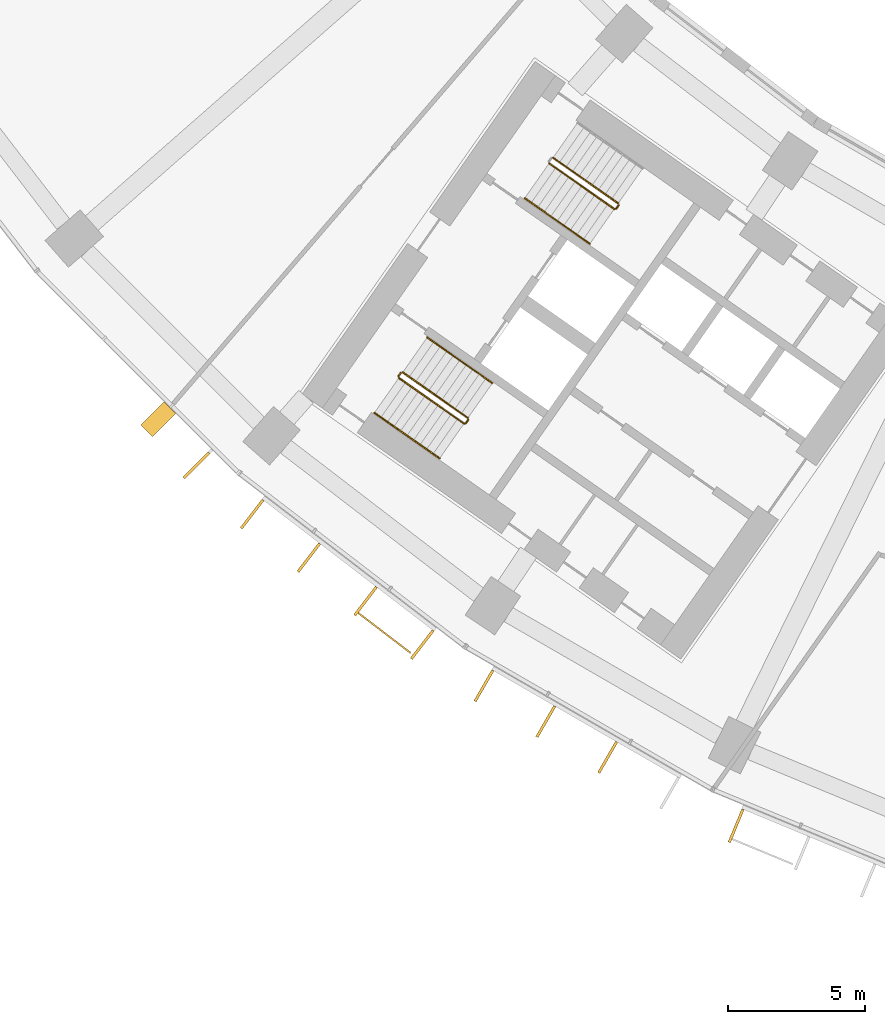
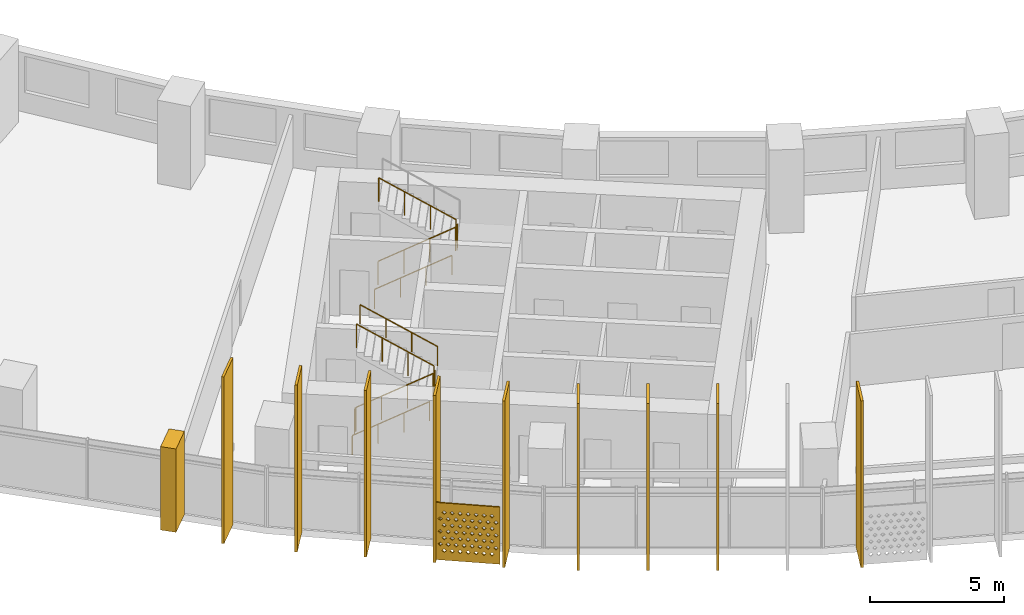
# One storey, part 26 of 32: 11 shading devices, 8 railings.
"""IFC4 building model written with IfcOpenShell, lengths in metres."""

from ifc_helpers import new_model, si_unit, direction, frame, origin, origin_2d, place, context, subcontext, project, spatial, polyline, rectangle, circle, outline, extrude, material, material_profile, profile_set, type_object, element, save


model = new_model("IFC4")

# Units and contexts
model_context = context("Model", 3, precision=1e-05, world=origin(), true_north=direction((0.0, 1.0)))
body_context = subcontext(model_context, "Body", "Model", "MODEL_VIEW")
ifc_project = project(units=[si_unit("LENGTHUNIT", "METRE"), si_unit("AREAUNIT", "SQUARE_METRE"), si_unit("VOLUMEUNIT", "CUBIC_METRE"), si_unit("PLANEANGLEUNIT", "RADIAN"), si_unit("MASSUNIT", "GRAM", prefix="KILO")], contexts=[model_context])

# Site, building, storey
site_placement = place(None, origin())
site = spatial("IfcSite", under=ifc_project, at=site_placement, CompositionType="ELEMENT")
building_placement = place(site_placement, origin())
building = spatial("IfcBuilding", under=site, at=building_placement, Name="Qamariyya Broadcast Tower", CompositionType="ELEMENT")
storey_placement = place(building_placement, frame((0.0, 0.0, 70.89990234375)))
storey = spatial("IfcBuildingStorey", under=building, at=storey_placement, Name="L14", CompositionType="ELEMENT", Elevation=70.89990234375)

# Shading devices
ifc_material_1 = material(Name="Steel S355 powder coated deep red", Category="steel")
shading_device_type_1 = type_object("IfcShadingDeviceType", Name="Deep red frame, powder coated steel box section", PredefinedType="USERDEFINED", material=ifc_material_1)
shading_device_1_placement = place(storey_placement, origin())
element("IfcShadingDevice", 1, at=shading_device_1_placement, inside=storey, type_object=shading_device_type_1, Name="e-frm-B1-F1-postb-L14", ObjectType="FRAME", PredefinedType="USERDEFINED", context=body_context, shape_type="SweptSolid", body=[
    extrude(outline(polyline([(-55.184814453125, -57.21630859375), (-56.033203125, -58.064697265625), (-55.60888671875, -58.489013671875), (-54.760498046875, -57.640380859375), (-55.184814453125, -57.21630859375)])), origin(), (0.0, 0.0, 1.0), 3.800048828125),
])
ifc_material_2 = material(Name="Perforated glazed terracotta", Category="masonry")
ifc_material_profile_1 = material_profile(ifc_material_2, outline(polyline([(-1.199951171875, -1.300048828125), (1.199951171875, -1.300048828125), (1.199951171875, 1.300048828125), (-1.199951171875, 1.300048828125), (-1.199951171875, -1.300048828125)]), holes=[polyline([(-0.81494140625, -0.86669921875), (-0.89990234375, -0.78173828125), (-0.985107421875, -0.86669921875), (-0.89990234375, -0.95166015625), (-0.81494140625, -0.86669921875)]), polyline([(-0.514892578125, -0.86669921875), (-0.60009765625, -0.78173828125), (-0.68505859375, -0.86669921875), (-0.60009765625, -0.95166015625), (-0.514892578125, -0.86669921875)]), polyline([(-0.215087890625, -0.86669921875), (-0.300048828125, -0.78173828125), (-0.385009765625, -0.86669921875), (-0.300048828125, -0.95166015625), (-0.215087890625, -0.86669921875)]), polyline([(0.0849609375, -0.86669921875), (0.0, -0.78173828125), (-0.0849609375, -0.86669921875), (0.0, -0.95166015625), (0.0849609375, -0.86669921875)]), polyline([(0.385009765625, -0.86669921875), (0.300048828125, -0.78173828125), (0.215087890625, -0.86669921875), (0.300048828125, -0.95166015625), (0.385009765625, -0.86669921875)]), polyline([(0.68505859375, -0.86669921875), (0.60009765625, -0.78173828125), (0.514892578125, -0.86669921875), (0.60009765625, -0.95166015625), (0.68505859375, -0.86669921875)]), polyline([(0.985107421875, -0.86669921875), (0.89990234375, -0.78173828125), (0.81494140625, -0.86669921875), (0.89990234375, -0.95166015625), (0.985107421875, -0.86669921875)]), polyline([(-0.965087890625, -0.577880859375), (-1.050048828125, -0.49267578125), (-1.135009765625, -0.577880859375), (-1.050048828125, -0.662841796875), (-0.965087890625, -0.577880859375)]), polyline([(-0.6650390625, -0.577880859375), (-0.75, -0.49267578125), (-0.8349609375, -0.577880859375), (-0.75, -0.662841796875), (-0.6650390625, -0.577880859375)]), polyline([(-0.364990234375, -0.577880859375), (-0.449951171875, -0.49267578125), (-0.534912109375, -0.577880859375), (-0.449951171875, -0.662841796875), (-0.364990234375, -0.577880859375)]), polyline([(-0.06494140625, -0.577880859375), (-0.14990234375, -0.49267578125), (-0.235107421875, -0.577880859375), (-0.14990234375, -0.662841796875), (-0.06494140625, -0.577880859375)]), polyline([(0.235107421875, -0.577880859375), (0.14990234375, -0.49267578125), (0.06494140625, -0.577880859375), (0.14990234375, -0.662841796875), (0.235107421875, -0.577880859375)]), polyline([(0.534912109375, -0.577880859375), (0.449951171875, -0.49267578125), (0.364990234375, -0.577880859375), (0.449951171875, -0.662841796875), (0.534912109375, -0.577880859375)]), polyline([(0.8349609375, -0.577880859375), (0.75, -0.49267578125), (0.6650390625, -0.577880859375), (0.75, -0.662841796875), (0.8349609375, -0.577880859375)]), polyline([(1.135009765625, -0.577880859375), (1.050048828125, -0.49267578125), (0.965087890625, -0.577880859375), (1.050048828125, -0.662841796875), (1.135009765625, -0.577880859375)]), polyline([(-0.81494140625, -0.288818359375), (-0.89990234375, -0.203857421875), (-0.985107421875, -0.288818359375), (-0.89990234375, -0.373779296875), (-0.81494140625, -0.288818359375)]), polyline([(-0.514892578125, -0.288818359375), (-0.60009765625, -0.203857421875), (-0.68505859375, -0.288818359375), (-0.60009765625, -0.373779296875), (-0.514892578125, -0.288818359375)]), polyline([(-0.215087890625, -0.288818359375), (-0.300048828125, -0.203857421875), (-0.385009765625, -0.288818359375), (-0.300048828125, -0.373779296875), (-0.215087890625, -0.288818359375)]), polyline([(0.0849609375, -0.288818359375), (0.0, -0.203857421875), (-0.0849609375, -0.288818359375), (0.0, -0.373779296875), (0.0849609375, -0.288818359375)]), polyline([(0.385009765625, -0.288818359375), (0.300048828125, -0.203857421875), (0.215087890625, -0.288818359375), (0.300048828125, -0.373779296875), (0.385009765625, -0.288818359375)]), polyline([(0.68505859375, -0.288818359375), (0.60009765625, -0.203857421875), (0.514892578125, -0.288818359375), (0.60009765625, -0.373779296875), (0.68505859375, -0.288818359375)]), polyline([(0.985107421875, -0.288818359375), (0.89990234375, -0.203857421875), (0.81494140625, -0.288818359375), (0.89990234375, -0.373779296875), (0.985107421875, -0.288818359375)]), polyline([(-0.965087890625, 0.0), (-1.050048828125, 0.0849609375), (-1.135009765625, 0.0), (-1.050048828125, -0.0849609375), (-0.965087890625, 0.0)]), polyline([(-0.6650390625, 0.0), (-0.75, 0.0849609375), (-0.8349609375, 0.0), (-0.75, -0.0849609375), (-0.6650390625, 0.0)]), polyline([(-0.364990234375, 0.0), (-0.449951171875, 0.0849609375), (-0.534912109375, 0.0), (-0.449951171875, -0.0849609375), (-0.364990234375, 0.0)]), polyline([(-0.06494140625, 0.0), (-0.14990234375, 0.0849609375), (-0.235107421875, 0.0), (-0.14990234375, -0.0849609375), (-0.06494140625, 0.0)]), polyline([(0.235107421875, 0.0), (0.14990234375, 0.0849609375), (0.06494140625, 0.0), (0.14990234375, -0.0849609375), (0.235107421875, 0.0)]), polyline([(0.534912109375, 0.0), (0.449951171875, 0.0849609375), (0.364990234375, 0.0), (0.449951171875, -0.0849609375), (0.534912109375, 0.0)]), polyline([(0.8349609375, 0.0), (0.75, 0.0849609375), (0.6650390625, 0.0), (0.75, -0.0849609375), (0.8349609375, 0.0)]), polyline([(1.135009765625, 0.0), (1.050048828125, 0.0849609375), (0.965087890625, 0.0), (1.050048828125, -0.0849609375), (1.135009765625, 0.0)]), polyline([(-0.81494140625, 0.288818359375), (-0.89990234375, 0.373779296875), (-0.985107421875, 0.288818359375), (-0.89990234375, 0.203857421875), (-0.81494140625, 0.288818359375)]), polyline([(-0.514892578125, 0.288818359375), (-0.60009765625, 0.373779296875), (-0.68505859375, 0.288818359375), (-0.60009765625, 0.203857421875), (-0.514892578125, 0.288818359375)]), polyline([(-0.215087890625, 0.288818359375), (-0.300048828125, 0.373779296875), (-0.385009765625, 0.288818359375), (-0.300048828125, 0.203857421875), (-0.215087890625, 0.288818359375)]), polyline([(0.0849609375, 0.288818359375), (0.0, 0.373779296875), (-0.0849609375, 0.288818359375), (0.0, 0.203857421875), (0.0849609375, 0.288818359375)]), polyline([(0.385009765625, 0.288818359375), (0.300048828125, 0.373779296875), (0.215087890625, 0.288818359375), (0.300048828125, 0.203857421875), (0.385009765625, 0.288818359375)]), polyline([(0.68505859375, 0.288818359375), (0.60009765625, 0.373779296875), (0.514892578125, 0.288818359375), (0.60009765625, 0.203857421875), (0.68505859375, 0.288818359375)]), polyline([(0.985107421875, 0.288818359375), (0.89990234375, 0.373779296875), (0.81494140625, 0.288818359375), (0.89990234375, 0.203857421875), (0.985107421875, 0.288818359375)]), polyline([(-0.965087890625, 0.577880859375), (-1.050048828125, 0.662841796875), (-1.135009765625, 0.577880859375), (-1.050048828125, 0.49267578125), (-0.965087890625, 0.577880859375)]), polyline([(-0.6650390625, 0.577880859375), (-0.75, 0.662841796875), (-0.8349609375, 0.577880859375), (-0.75, 0.49267578125), (-0.6650390625, 0.577880859375)]), polyline([(-0.364990234375, 0.577880859375), (-0.449951171875, 0.662841796875), (-0.534912109375, 0.577880859375), (-0.449951171875, 0.49267578125), (-0.364990234375, 0.577880859375)]), polyline([(-0.06494140625, 0.577880859375), (-0.14990234375, 0.662841796875), (-0.235107421875, 0.577880859375), (-0.14990234375, 0.49267578125), (-0.06494140625, 0.577880859375)]), polyline([(0.235107421875, 0.577880859375), (0.14990234375, 0.662841796875), (0.06494140625, 0.577880859375), (0.14990234375, 0.49267578125), (0.235107421875, 0.577880859375)]), polyline([(0.534912109375, 0.577880859375), (0.449951171875, 0.662841796875), (0.364990234375, 0.577880859375), (0.449951171875, 0.49267578125), (0.534912109375, 0.577880859375)]), polyline([(0.8349609375, 0.577880859375), (0.75, 0.662841796875), (0.6650390625, 0.577880859375), (0.75, 0.49267578125), (0.8349609375, 0.577880859375)]), polyline([(1.135009765625, 0.577880859375), (1.050048828125, 0.662841796875), (0.965087890625, 0.577880859375), (1.050048828125, 0.49267578125), (1.135009765625, 0.577880859375)]), polyline([(-0.81494140625, 0.86669921875), (-0.89990234375, 0.95166015625), (-0.985107421875, 0.86669921875), (-0.89990234375, 0.78173828125), (-0.81494140625, 0.86669921875)]), polyline([(-0.514892578125, 0.86669921875), (-0.60009765625, 0.95166015625), (-0.68505859375, 0.86669921875), (-0.60009765625, 0.78173828125), (-0.514892578125, 0.86669921875)]), polyline([(-0.215087890625, 0.86669921875), (-0.300048828125, 0.95166015625), (-0.385009765625, 0.86669921875), (-0.300048828125, 0.78173828125), (-0.215087890625, 0.86669921875)]), polyline([(0.0849609375, 0.86669921875), (0.0, 0.95166015625), (-0.0849609375, 0.86669921875), (0.0, 0.78173828125), (0.0849609375, 0.86669921875)]), polyline([(0.385009765625, 0.86669921875), (0.300048828125, 0.95166015625), (0.215087890625, 0.86669921875), (0.300048828125, 0.78173828125), (0.385009765625, 0.86669921875)]), polyline([(0.68505859375, 0.86669921875), (0.60009765625, 0.95166015625), (0.514892578125, 0.86669921875), (0.60009765625, 0.78173828125), (0.68505859375, 0.86669921875)]), polyline([(0.985107421875, 0.86669921875), (0.89990234375, 0.95166015625), (0.81494140625, 0.86669921875), (0.89990234375, 0.78173828125), (0.985107421875, 0.86669921875)])]))
ifc_profile_set_1 = profile_set([ifc_material_profile_1], Name="Perforated glazed terracotta")
shading_device_type_2 = type_object("IfcShadingDeviceType", Name="Perforated terracotta screen 2400 x 2600", PredefinedType="USERDEFINED", material=ifc_profile_set_1)
shading_device_2_placement = place(storey_placement, frame((-47.13232421875, -65.61669921875, 1.35009765625), z_axis=(-0.607147566278, -0.794589096806, 0.0), x_axis=(0.794589096806, -0.607147566278, 0.0)))
element("IfcShadingDevice", 2, at=shading_device_2_placement, inside=storey, type_object=shading_device_type_2, Name="e-scr-L14-03-2", ObjectType="SCREEN", PredefinedType="USERDEFINED", context=body_context, shape_type="SweptSolid", body=[
    extrude(outline(polyline([(-1.199951171875, -1.300048828125), (1.199951171875, -1.300048828125), (1.199951171875, 1.300048828125), (-1.199951171875, 1.300048828125), (-1.199951171875, -1.300048828125)]), holes=[polyline([(-0.81494140625, -0.86669921875), (-0.89990234375, -0.78173828125), (-0.985107421875, -0.86669921875), (-0.89990234375, -0.95166015625), (-0.81494140625, -0.86669921875)]), polyline([(-0.514892578125, -0.86669921875), (-0.60009765625, -0.78173828125), (-0.68505859375, -0.86669921875), (-0.60009765625, -0.95166015625), (-0.514892578125, -0.86669921875)]), polyline([(-0.215087890625, -0.86669921875), (-0.300048828125, -0.78173828125), (-0.385009765625, -0.86669921875), (-0.300048828125, -0.95166015625), (-0.215087890625, -0.86669921875)]), polyline([(0.0849609375, -0.86669921875), (0.0, -0.78173828125), (-0.0849609375, -0.86669921875), (0.0, -0.95166015625), (0.0849609375, -0.86669921875)]), polyline([(0.385009765625, -0.86669921875), (0.300048828125, -0.78173828125), (0.215087890625, -0.86669921875), (0.300048828125, -0.95166015625), (0.385009765625, -0.86669921875)]), polyline([(0.68505859375, -0.86669921875), (0.60009765625, -0.78173828125), (0.514892578125, -0.86669921875), (0.60009765625, -0.95166015625), (0.68505859375, -0.86669921875)]), polyline([(0.985107421875, -0.86669921875), (0.89990234375, -0.78173828125), (0.81494140625, -0.86669921875), (0.89990234375, -0.95166015625), (0.985107421875, -0.86669921875)]), polyline([(-0.965087890625, -0.577880859375), (-1.050048828125, -0.49267578125), (-1.135009765625, -0.577880859375), (-1.050048828125, -0.662841796875), (-0.965087890625, -0.577880859375)]), polyline([(-0.6650390625, -0.577880859375), (-0.75, -0.49267578125), (-0.8349609375, -0.577880859375), (-0.75, -0.662841796875), (-0.6650390625, -0.577880859375)]), polyline([(-0.364990234375, -0.577880859375), (-0.449951171875, -0.49267578125), (-0.534912109375, -0.577880859375), (-0.449951171875, -0.662841796875), (-0.364990234375, -0.577880859375)]), polyline([(-0.06494140625, -0.577880859375), (-0.14990234375, -0.49267578125), (-0.235107421875, -0.577880859375), (-0.14990234375, -0.662841796875), (-0.06494140625, -0.577880859375)]), polyline([(0.235107421875, -0.577880859375), (0.14990234375, -0.49267578125), (0.06494140625, -0.577880859375), (0.14990234375, -0.662841796875), (0.235107421875, -0.577880859375)]), polyline([(0.534912109375, -0.577880859375), (0.449951171875, -0.49267578125), (0.364990234375, -0.577880859375), (0.449951171875, -0.662841796875), (0.534912109375, -0.577880859375)]), polyline([(0.8349609375, -0.577880859375), (0.75, -0.49267578125), (0.6650390625, -0.577880859375), (0.75, -0.662841796875), (0.8349609375, -0.577880859375)]), polyline([(1.135009765625, -0.577880859375), (1.050048828125, -0.49267578125), (0.965087890625, -0.577880859375), (1.050048828125, -0.662841796875), (1.135009765625, -0.577880859375)]), polyline([(-0.81494140625, -0.288818359375), (-0.89990234375, -0.203857421875), (-0.985107421875, -0.288818359375), (-0.89990234375, -0.373779296875), (-0.81494140625, -0.288818359375)]), polyline([(-0.514892578125, -0.288818359375), (-0.60009765625, -0.203857421875), (-0.68505859375, -0.288818359375), (-0.60009765625, -0.373779296875), (-0.514892578125, -0.288818359375)]), polyline([(-0.215087890625, -0.288818359375), (-0.300048828125, -0.203857421875), (-0.385009765625, -0.288818359375), (-0.300048828125, -0.373779296875), (-0.215087890625, -0.288818359375)]), polyline([(0.0849609375, -0.288818359375), (0.0, -0.203857421875), (-0.0849609375, -0.288818359375), (0.0, -0.373779296875), (0.0849609375, -0.288818359375)]), polyline([(0.385009765625, -0.288818359375), (0.300048828125, -0.203857421875), (0.215087890625, -0.288818359375), (0.300048828125, -0.373779296875), (0.385009765625, -0.288818359375)]), polyline([(0.68505859375, -0.288818359375), (0.60009765625, -0.203857421875), (0.514892578125, -0.288818359375), (0.60009765625, -0.373779296875), (0.68505859375, -0.288818359375)]), polyline([(0.985107421875, -0.288818359375), (0.89990234375, -0.203857421875), (0.81494140625, -0.288818359375), (0.89990234375, -0.373779296875), (0.985107421875, -0.288818359375)]), polyline([(-0.965087890625, 0.0), (-1.050048828125, 0.0849609375), (-1.135009765625, 0.0), (-1.050048828125, -0.0849609375), (-0.965087890625, 0.0)]), polyline([(-0.6650390625, 0.0), (-0.75, 0.0849609375), (-0.8349609375, 0.0), (-0.75, -0.0849609375), (-0.6650390625, 0.0)]), polyline([(-0.364990234375, 0.0), (-0.449951171875, 0.0849609375), (-0.534912109375, 0.0), (-0.449951171875, -0.0849609375), (-0.364990234375, 0.0)]), polyline([(-0.06494140625, 0.0), (-0.14990234375, 0.0849609375), (-0.235107421875, 0.0), (-0.14990234375, -0.0849609375), (-0.06494140625, 0.0)]), polyline([(0.235107421875, 0.0), (0.14990234375, 0.0849609375), (0.06494140625, 0.0), (0.14990234375, -0.0849609375), (0.235107421875, 0.0)]), polyline([(0.534912109375, 0.0), (0.449951171875, 0.0849609375), (0.364990234375, 0.0), (0.449951171875, -0.0849609375), (0.534912109375, 0.0)]), polyline([(0.8349609375, 0.0), (0.75, 0.0849609375), (0.6650390625, 0.0), (0.75, -0.0849609375), (0.8349609375, 0.0)]), polyline([(1.135009765625, 0.0), (1.050048828125, 0.0849609375), (0.965087890625, 0.0), (1.050048828125, -0.0849609375), (1.135009765625, 0.0)]), polyline([(-0.81494140625, 0.288818359375), (-0.89990234375, 0.373779296875), (-0.985107421875, 0.288818359375), (-0.89990234375, 0.203857421875), (-0.81494140625, 0.288818359375)]), polyline([(-0.514892578125, 0.288818359375), (-0.60009765625, 0.373779296875), (-0.68505859375, 0.288818359375), (-0.60009765625, 0.203857421875), (-0.514892578125, 0.288818359375)]), polyline([(-0.215087890625, 0.288818359375), (-0.300048828125, 0.373779296875), (-0.385009765625, 0.288818359375), (-0.300048828125, 0.203857421875), (-0.215087890625, 0.288818359375)]), polyline([(0.0849609375, 0.288818359375), (0.0, 0.373779296875), (-0.0849609375, 0.288818359375), (0.0, 0.203857421875), (0.0849609375, 0.288818359375)]), polyline([(0.385009765625, 0.288818359375), (0.300048828125, 0.373779296875), (0.215087890625, 0.288818359375), (0.300048828125, 0.203857421875), (0.385009765625, 0.288818359375)]), polyline([(0.68505859375, 0.288818359375), (0.60009765625, 0.373779296875), (0.514892578125, 0.288818359375), (0.60009765625, 0.203857421875), (0.68505859375, 0.288818359375)]), polyline([(0.985107421875, 0.288818359375), (0.89990234375, 0.373779296875), (0.81494140625, 0.288818359375), (0.89990234375, 0.203857421875), (0.985107421875, 0.288818359375)]), polyline([(-0.965087890625, 0.577880859375), (-1.050048828125, 0.662841796875), (-1.135009765625, 0.577880859375), (-1.050048828125, 0.49267578125), (-0.965087890625, 0.577880859375)]), polyline([(-0.6650390625, 0.577880859375), (-0.75, 0.662841796875), (-0.8349609375, 0.577880859375), (-0.75, 0.49267578125), (-0.6650390625, 0.577880859375)]), polyline([(-0.364990234375, 0.577880859375), (-0.449951171875, 0.662841796875), (-0.534912109375, 0.577880859375), (-0.449951171875, 0.49267578125), (-0.364990234375, 0.577880859375)]), polyline([(-0.06494140625, 0.577880859375), (-0.14990234375, 0.662841796875), (-0.235107421875, 0.577880859375), (-0.14990234375, 0.49267578125), (-0.06494140625, 0.577880859375)]), polyline([(0.235107421875, 0.577880859375), (0.14990234375, 0.662841796875), (0.06494140625, 0.577880859375), (0.14990234375, 0.49267578125), (0.235107421875, 0.577880859375)]), polyline([(0.534912109375, 0.577880859375), (0.449951171875, 0.662841796875), (0.364990234375, 0.577880859375), (0.449951171875, 0.49267578125), (0.534912109375, 0.577880859375)]), polyline([(0.8349609375, 0.577880859375), (0.75, 0.662841796875), (0.6650390625, 0.577880859375), (0.75, 0.49267578125), (0.8349609375, 0.577880859375)]), polyline([(1.135009765625, 0.577880859375), (1.050048828125, 0.662841796875), (0.965087890625, 0.577880859375), (1.050048828125, 0.49267578125), (1.135009765625, 0.577880859375)]), polyline([(-0.81494140625, 0.86669921875), (-0.89990234375, 0.95166015625), (-0.985107421875, 0.86669921875), (-0.89990234375, 0.78173828125), (-0.81494140625, 0.86669921875)]), polyline([(-0.514892578125, 0.86669921875), (-0.60009765625, 0.95166015625), (-0.68505859375, 0.86669921875), (-0.60009765625, 0.78173828125), (-0.514892578125, 0.86669921875)]), polyline([(-0.215087890625, 0.86669921875), (-0.300048828125, 0.95166015625), (-0.385009765625, 0.86669921875), (-0.300048828125, 0.78173828125), (-0.215087890625, 0.86669921875)]), polyline([(0.0849609375, 0.86669921875), (0.0, 0.95166015625), (-0.0849609375, 0.86669921875), (0.0, 0.78173828125), (0.0849609375, 0.86669921875)]), polyline([(0.385009765625, 0.86669921875), (0.300048828125, 0.95166015625), (0.215087890625, 0.86669921875), (0.300048828125, 0.78173828125), (0.385009765625, 0.86669921875)]), polyline([(0.68505859375, 0.86669921875), (0.60009765625, 0.95166015625), (0.514892578125, 0.86669921875), (0.60009765625, 0.78173828125), (0.68505859375, 0.86669921875)]), polyline([(0.985107421875, 0.86669921875), (0.89990234375, 0.95166015625), (0.81494140625, 0.86669921875), (0.89990234375, 0.78173828125), (0.985107421875, 0.86669921875)])]), origin(), (0.0, 0.0, 1.0), 0.059814453125),
])

# Railings
ifc_material_3 = material(Name="Painted steel", Category="steel")
railing_type_1 = type_object("IfcRailingType", Name="Stair guard", PredefinedType="GUARDRAIL", material=ifc_material_3)
railing_1_placement = place(storey_placement, frame((-41.146728515625, -48.52490234375, 0.1728515625)))
element("IfcRailing", 3, at=railing_1_placement, inside=storey, type_object=railing_type_1, Name="L14 ST-W2 stair guard 1", PredefinedType="GUARDRAIL", context=body_context, shape_type="SweptSolid", body=[
    extrude(circle(Radius=0.02392578125, at=origin_2d()), frame((0.0, 0.0, 1.076171875), z_axis=(0.703770094002, -0.492783725636, 0.511734163933), x_axis=(0.573575343427, 0.819152809562, 0.0)), (0.0, 0.0, 1.0), 3.37548828125),
    extrude(circle(Radius=0.02392578125, at=origin_2d()), frame((2.37548828125, -1.663330078125, 2.80322265625), z_axis=(0.985059694769, 0.172213233351, 0.0), x_axis=(-0.172213233351, 0.985059694769, 0.0)), (0.0, 0.0, 1.0), 0.07080078125),
    extrude(circle(Radius=0.02392578125, at=origin_2d()), frame((2.4453125, -1.651123046875, 2.80322265625), z_axis=(0.572588637393, 0.819842821722, 0.0), x_axis=(-0.819842821722, 0.572588637393, 0.0)), (0.0, 0.0, 1.0), 0.150146484375),
    extrude(circle(Radius=0.02099609375, at=origin_2d()), origin(), (0.0, 0.0, 1.0), 1.052001953125),
    extrude(circle(Radius=0.02099609375, at=origin_2d()), frame((0.791748046875, -0.554443359375, 0.57568359375)), (0.0, 0.0, 1.0), 1.052001953125),
    extrude(circle(Radius=0.02099609375, at=origin_2d()), frame((1.583740234375, -1.10888671875, 1.151611328125)), (0.0, 0.0, 1.0), 1.052001953125),
    extrude(circle(Radius=0.02099609375, at=origin_2d()), frame((2.37548828125, -1.663330078125, 1.727294921875)), (0.0, 0.0, 1.0), 1.052001953125),
    extrude(circle(Radius=0.02099609375, at=origin_2d()), frame((2.4453125, -1.651123046875, 1.727294921875)), (0.0, 0.0, 1.0), 1.052001953125),
    extrude(circle(Radius=0.02099609375, at=origin_2d()), frame((2.53125, -1.528076171875, 1.727294921875)), (0.0, 0.0, 1.0), 1.052001953125),
])
railing_2_placement = place(storey_placement, frame((-38.627685546875, -49.9833984375, 2.07275390625)))
element("IfcRailing", 4, at=railing_2_placement, inside=storey, type_object=railing_type_1, Name="L14 ST-W2 stair guard 2", PredefinedType="GUARDRAIL", context=body_context, shape_type="SweptSolid", body=[
    extrude(circle(Radius=0.02392578125, at=origin_2d()), frame((0.0, 0.0, 1.076171875), z_axis=(-0.703770094002, 0.492783725636, 0.511734163933), x_axis=(-0.573575343427, -0.819152809562, 0.0)), (0.0, 0.0, 1.0), 3.37548828125),
    extrude(circle(Radius=0.02099609375, at=origin_2d()), origin(), (0.0, 0.0, 1.0), 1.052001953125),
    extrude(circle(Radius=0.02099609375, at=origin_2d()), frame((-0.791748046875, 0.554443359375, 0.57568359375)), (0.0, 0.0, 1.0), 1.052001953125),
    extrude(circle(Radius=0.02099609375, at=origin_2d()), frame((-1.583740234375, 1.10888671875, 1.151611328125)), (0.0, 0.0, 1.0), 1.052001953125),
    extrude(circle(Radius=0.02099609375, at=origin_2d()), frame((-2.37548828125, 1.663330078125, 1.727294921875)), (0.0, 0.0, 1.0), 1.052001953125),
])
railing_3_placement = place(storey_placement, frame((-46.624267578125, -56.34765625, 0.1728515625)))
element("IfcRailing", 5, at=railing_3_placement, inside=storey, type_object=railing_type_1, Name="L14 ST-W1 stair guard 1", PredefinedType="GUARDRAIL", context=body_context, shape_type="SweptSolid", body=[
    extrude(circle(Radius=0.02392578125, at=origin_2d()), frame((0.0, 0.0, 1.076171875), z_axis=(0.703745009021, -0.492838488332, 0.511715923826), x_axis=(0.573631830683, 0.819113253969, 0.0)), (0.0, 0.0, 1.0), 3.37548828125),
    extrude(circle(Radius=0.02392578125, at=origin_2d()), frame((2.37548828125, -1.66357421875, 2.80322265625), z_axis=(0.984363469884, 0.176149252506, 0.0), x_axis=(-0.176149252506, 0.984363469884, 0.0)), (0.0, 0.0, 1.0), 0.07080078125),
    extrude(circle(Radius=0.02392578125, at=origin_2d()), frame((2.445068359375, -1.651123046875, 2.80322265625), z_axis=(0.574444878118, 0.818543268254, 0.0), x_axis=(-0.818543268254, 0.574444878118, 0.0)), (0.0, 0.0, 1.0), 0.150146484375),
    extrude(circle(Radius=0.02099609375, at=origin_2d()), origin(), (0.0, 0.0, 1.0), 1.052001953125),
    extrude(circle(Radius=0.02099609375, at=origin_2d()), frame((0.791748046875, -0.554443359375, 0.57568359375)), (0.0, 0.0, 1.0), 1.052001953125),
    extrude(circle(Radius=0.02099609375, at=origin_2d()), frame((1.583740234375, -1.109130859375, 1.151611328125)), (0.0, 0.0, 1.0), 1.052001953125),
    extrude(circle(Radius=0.02099609375, at=origin_2d()), frame((2.37548828125, -1.66357421875, 1.727294921875)), (0.0, 0.0, 1.0), 1.052001953125),
    extrude(circle(Radius=0.02099609375, at=origin_2d()), frame((2.445068359375, -1.651123046875, 1.727294921875)), (0.0, 0.0, 1.0), 1.052001953125),
    extrude(circle(Radius=0.02099609375, at=origin_2d()), frame((2.53125, -1.5283203125, 1.727294921875)), (0.0, 0.0, 1.0), 1.052001953125),
])
railing_4_placement = place(storey_placement, frame((-44.10546875, -57.806396484375, 2.07275390625)))
element("IfcRailing", 6, at=railing_4_placement, inside=storey, type_object=railing_type_1, Name="L14 ST-W1 stair guard 2", PredefinedType="GUARDRAIL", context=body_context, shape_type="SweptSolid", body=[
    extrude(circle(Radius=0.02392578125, at=origin_2d()), frame((0.0, 0.0, 1.076171875), z_axis=(-0.703770094002, 0.492783725636, 0.511734163933), x_axis=(-0.573575343427, -0.819152809562, 0.0)), (0.0, 0.0, 1.0), 3.37548828125),
    extrude(circle(Radius=0.02099609375, at=origin_2d()), origin(), (0.0, 0.0, 1.0), 1.052001953125),
    extrude(circle(Radius=0.02099609375, at=origin_2d()), frame((-0.791748046875, 0.554443359375, 0.57568359375)), (0.0, 0.0, 1.0), 1.052001953125),
    extrude(circle(Radius=0.02099609375, at=origin_2d()), frame((-1.583740234375, 1.10888671875, 1.151611328125)), (0.0, 0.0, 1.0), 1.052001953125),
    extrude(circle(Radius=0.02099609375, at=origin_2d()), frame((-2.37548828125, 1.663330078125, 1.727294921875)), (0.0, 0.0, 1.0), 1.052001953125),
])
railing_5_placement = place(storey_placement, frame((-46.63671875, -56.278076171875, 0.0)))
element("IfcRailing", 7, at=railing_5_placement, inside=storey, type_object=railing_type_1, Name="L14 ST-W1 stair guard 3", PredefinedType="GUARDRAIL", context=body_context, shape_type="SweptSolid", body=[
    extrude(circle(Radius=0.02392578125, at=origin_2d()), frame((0.0, 0.0, 1.076171875), z_axis=(0.574444878118, 0.818543268254, 0.0), x_axis=(-0.818543268254, 0.574444878118, 0.0)), (0.0, 0.0, 1.0), 0.150146484375),
    extrude(circle(Radius=0.02099609375, at=origin_2d()), origin(), (0.0, 0.0, 1.0), 1.052001953125),
    extrude(circle(Radius=0.02099609375, at=origin_2d()), frame((0.086181640625, 0.122802734375, 0.0)), (0.0, 0.0, 1.0), 1.052001953125),
])
ifc_material_4 = material(Name="Stainless steel", Category="steel")
railing_type_2 = type_object("IfcRailingType", Name="Stair handrail", PredefinedType="HANDRAIL", material=ifc_material_4)
railing_6_placement = place(storey_placement, frame((-42.03564453125, -49.79443359375, 0.1728515625)))
element("IfcRailing", 8, at=railing_6_placement, inside=storey, type_object=railing_type_2, Name="L14 ST-W2 stair handrail 1", PredefinedType="HANDRAIL", context=body_context, shape_type="SweptSolid", body=[
    extrude(circle(Radius=0.02392578125, at=origin_2d()), frame((0.0, 0.0, 0.8759765625), z_axis=(0.703745009021, -0.492838488332, 0.511715923826), x_axis=(0.573631830683, 0.819113253969, 0.0)), (0.0, 0.0, 1.0), 3.37548828125),
    extrude(circle(Radius=0.02099609375, at=origin_2d()), origin(), (0.0, 0.0, 1.0), 0.851806640625),
    extrude(circle(Radius=0.02099609375, at=origin_2d()), frame((0.791748046875, -0.554443359375, 0.57568359375)), (0.0, 0.0, 1.0), 0.851806640625),
    extrude(circle(Radius=0.02099609375, at=origin_2d()), frame((1.583740234375, -1.109130859375, 1.151611328125)), (0.0, 0.0, 1.0), 0.851806640625),
    extrude(circle(Radius=0.02099609375, at=origin_2d()), frame((2.37548828125, -1.66357421875, 1.727294921875)), (0.0, 0.0, 1.0), 0.851806640625),
])
railing_7_placement = place(storey_placement, frame((-47.513427734375, -57.617431640625, 0.1728515625)))
element("IfcRailing", 9, at=railing_7_placement, inside=storey, type_object=railing_type_2, Name="L14 ST-W1 stair handrail 1", PredefinedType="HANDRAIL", context=body_context, shape_type="SweptSolid", body=[
    extrude(circle(Radius=0.02392578125, at=origin_2d()), frame((0.0, 0.0, 0.8759765625), z_axis=(0.703770094002, -0.492783725636, 0.511734163933), x_axis=(0.573575343427, 0.819152809562, 0.0)), (0.0, 0.0, 1.0), 3.37548828125),
    extrude(circle(Radius=0.02099609375, at=origin_2d()), origin(), (0.0, 0.0, 1.0), 0.851806640625),
    extrude(circle(Radius=0.02099609375, at=origin_2d()), frame((0.791748046875, -0.554443359375, 0.57568359375)), (0.0, 0.0, 1.0), 0.851806640625),
    extrude(circle(Radius=0.02099609375, at=origin_2d()), frame((1.583740234375, -1.10888671875, 1.151611328125)), (0.0, 0.0, 1.0), 0.851806640625),
    extrude(circle(Radius=0.02099609375, at=origin_2d()), frame((2.37548828125, -1.663330078125, 1.727294921875)), (0.0, 0.0, 1.0), 0.851806640625),
])
railing_8_placement = place(storey_placement, frame((-43.21630859375, -56.53662109375, 2.07275390625)))
element("IfcRailing", 10, at=railing_8_placement, inside=storey, type_object=railing_type_2, Name="L14 ST-W1 stair handrail 2", PredefinedType="HANDRAIL", context=body_context, shape_type="SweptSolid", body=[
    extrude(circle(Radius=0.02392578125, at=origin_2d()), frame((0.0, 0.0, 0.8759765625), z_axis=(-0.703770094002, 0.492783725636, 0.511734163933), x_axis=(-0.573575343427, -0.819152809562, 0.0)), (0.0, 0.0, 1.0), 3.37548828125),
    extrude(circle(Radius=0.02099609375, at=origin_2d()), origin(), (0.0, 0.0, 1.0), 0.851806640625),
    extrude(circle(Radius=0.02099609375, at=origin_2d()), frame((-0.791748046875, 0.554443359375, 0.57568359375)), (0.0, 0.0, 1.0), 0.851806640625),
    extrude(circle(Radius=0.02099609375, at=origin_2d()), frame((-1.583740234375, 1.10888671875, 1.151611328125)), (0.0, 0.0, 1.0), 0.851806640625),
    extrude(circle(Radius=0.02099609375, at=origin_2d()), frame((-2.37548828125, 1.663330078125, 1.727294921875)), (0.0, 0.0, 1.0), 0.851806640625),
])

# Shading devices
ifc_material_5 = material(Name="Glazed terracotta", Category="masonry")
ifc_material_profile_2 = material_profile(ifc_material_5, rectangle(XDim=1.300048828125, YDim=0.10009765625, at=origin_2d()))
ifc_profile_set_2 = profile_set([ifc_material_profile_2], Name="Glazed terracotta")
shading_device_type_3 = type_object("IfcShadingDeviceType", Name="Terracotta fin 100 x 1300", PredefinedType="USERDEFINED", material=ifc_profile_set_2)
for number, where, z_axis, x_axis, name in (
    (11, (-54.00341796875, -59.52880859375, 0.0), (0.0, 0.0, 1.0), (-0.707106781187, -0.707106781187, 0.0), "e-fin-L14-02-3"),
    (12, (-51.970703125, -61.3115234375, 0.0), (0.0, 0.0, 1.0), (-0.608761429009, -0.793353340291, 0.0), "e-fin-L14-03-0"),
    (13, (-49.904296875, -62.897216796875, 0.0), (0.0, 0.0, 1.0), (-0.608761429009, -0.793353340291, 0.0), "e-fin-L14-03-1"),
    (14, (-47.837890625, -64.48291015625, 0.0), (0.0, 0.0, 1.0), (-0.608761429009, -0.793353340291, 0.0), "e-fin-L14-03-2"),
    (15, (-45.771484375, -66.068359375, 0.0), (0.0, 0.0, 1.0), (-0.608761429009, -0.793353340291, 0.0), "e-fin-L14-03-3"),
    (16, (-43.523193359375, -67.570556640625, 0.0), (0.0, 0.0, 1.0), (-0.5, -0.866025403784, 0.0), "e-fin-L14-04-0"),
    (17, (-41.267578125, -68.872802734375, 0.0), (0.0, 0.0, 1.0), (-0.5, -0.866025403784, 0.0), "e-fin-L14-04-1"),
    (18, (-39.011962890625, -70.17529296875, 0.0), (0.0, 0.0, 1.0), (-0.5, -0.866025403784, 0.0), "e-fin-L14-04-2"),
    (19, (-34.331298828125, -72.67333984375, 0.0), (0.0, 0.0, 1.0), (-0.382683432365, -0.923879532511, 0.0), "e-fin-L14-05-0"),
):
    element("IfcShadingDevice", number, at=place(storey_placement, frame(where, z_axis=z_axis, x_axis=x_axis)), inside=storey, type_object=shading_device_type_3, Name=name, ObjectType="FIN", PredefinedType="USERDEFINED", context=body_context, shape_type="SweptSolid", body=[
        extrude(rectangle(XDim=1.300048828125, YDim=0.10009765625, at=origin_2d()), origin(), (0.0, 0.0, 1.0), 7.60009765625),
    ])

save(model, "model.ifc")
